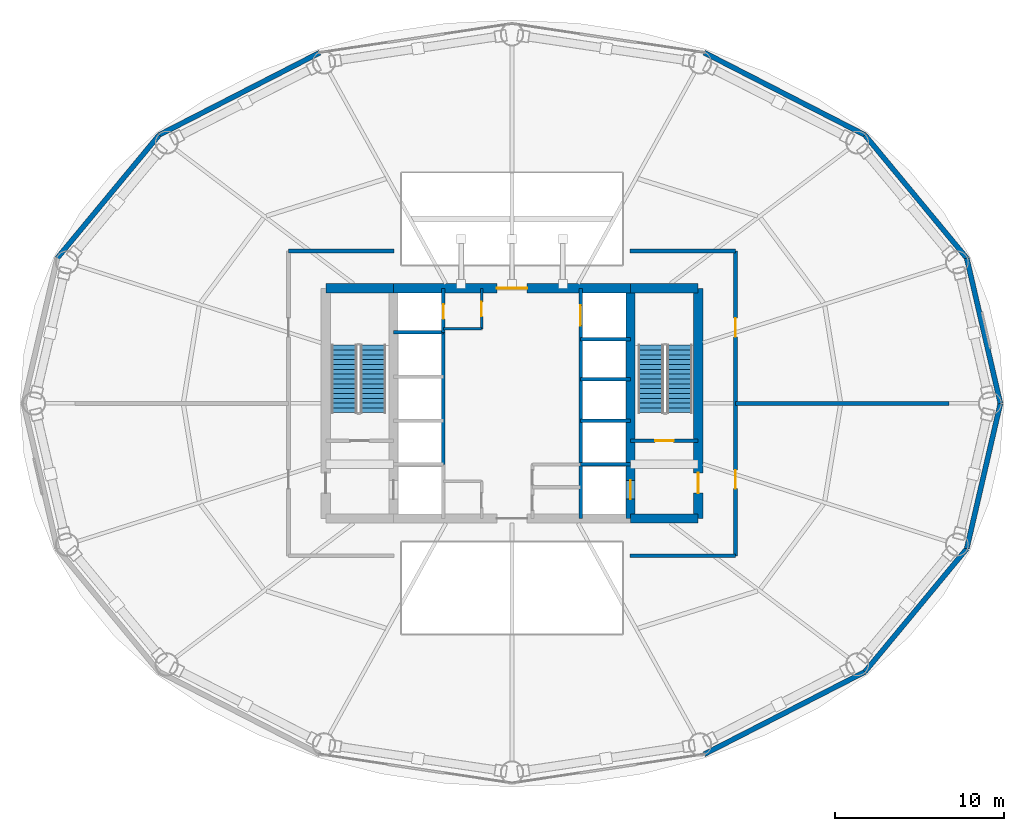
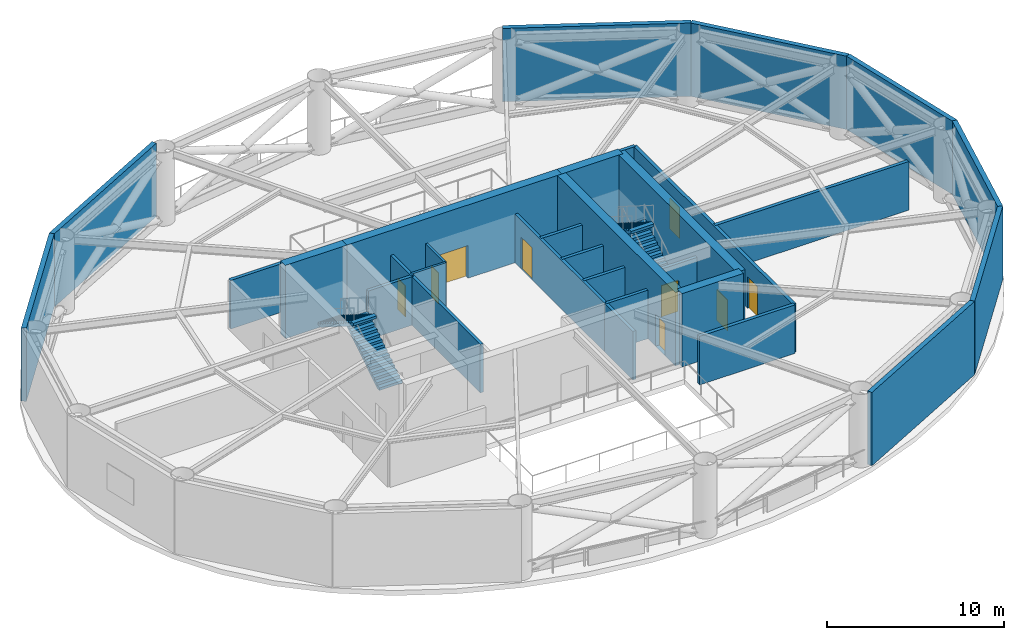
# One storey, part 5 of 7: 31 walls, 9 doors, 4 stair flights, 9 openings, 2 elements without a shape of their own.
"""IFC4 building model written with IfcOpenShell, lengths in metres."""

from ifc_helpers import new_model, si_unit, direction, frame, frame_2d, origin, place, context, subcontext, project, spatial, polyline, rectangle, outline, extrude, material, layer, layer_set, type_object, element, fill, aggregate, save


model = new_model("IFC4")

# Units and contexts
model_context = context("Model", 3, precision=1e-05, world=origin(), true_north=direction((0.0, 1.0)))
body_context = subcontext(model_context, "Body", "Model", "MODEL_VIEW")
ifc_project = project(units=[si_unit("LENGTHUNIT", "METRE"), si_unit("AREAUNIT", "SQUARE_METRE"), si_unit("VOLUMEUNIT", "CUBIC_METRE"), si_unit("PLANEANGLEUNIT", "RADIAN"), si_unit("MASSUNIT", "GRAM", prefix="KILO")], contexts=[model_context])

# Site, building, storey
site_placement = place(None, origin())
site = spatial("IfcSite", under=ifc_project, at=site_placement, CompositionType="ELEMENT")
building_placement = place(site_placement, origin())
building = spatial("IfcBuilding", under=site, at=building_placement, Name="Sarneth Arch Tower", CompositionType="ELEMENT")
storey_placement = place(building_placement, frame((0.0, 0.0, 139.800048828125)))
storey = spatial("IfcBuildingStorey", under=building, at=storey_placement, Name="L35", CompositionType="ELEMENT", Elevation=139.800048828125)

# Walls
ifc_material_1 = material(Name="Concrete C60/75", Category="concrete")
ifc_layer_1 = layer(ifc_material_1, 0.550048828125)
ifc_layer_set_1 = layer_set([ifc_layer_1], Name="Concrete C60/75")
wall_type_1 = type_object("IfcWallType", Name="WALL-CORE-550", PredefinedType="SHEAR", material=ifc_layer_set_1)
for number, where, z_axis, x_axis, name in (
    (1, (55.0, 35.199951171875, 0.0), (0.0, 0.0, 1.0), (1.0, 0.0, 0.0), "L35 Core shear wall S-E"),
    (2, (37.0, 48.800048828125, 0.0), (0.0, 0.0, 1.0), (1.0, 0.0, 0.0), "L35 Core shear wall N-W"),
):
    element("IfcWall", number, at=place(storey_placement, frame(where, z_axis=z_axis, x_axis=x_axis)), inside=storey, type_object=wall_type_1, Name=name, PredefinedType="SHEAR", context=body_context, shape_type="SweptSolid", body=[
        extrude(rectangle(XDim=4.0, YDim=0.550048828125, at=frame_2d((2.0, 0.0))), origin(), (0.0, 0.0, 1.0), 5.050048828125),
    ])

# Wall, opening, door
wall_1_placement = place(storey_placement, frame((41.0, 48.800048828125, 0.0), z_axis=(0.0, 0.0, 1.0), x_axis=(1.0, 0.0, 0.0)))
wall_1 = element("IfcWall", 3, at=wall_1_placement, inside=storey, type_object=wall_type_1, Name="L35 Core shear wall N-M", PredefinedType="SHEAR", context=body_context, shape_type="SweptSolid", body=[
    extrude(rectangle(XDim=14.0, YDim=0.550048828125, at=frame_2d((7.0, 0.0))), origin(), (0.0, 0.0, 1.0), 5.050048828125),
])
opening_1_placement = place(wall_1_placement, frame((6.10009765625, 0.0, 0.0)))
opening_1 = element("IfcOpeningElement", 4, at=opening_1_placement, cuts=wall_1, Name="Opening FD-01", PredefinedType="OPENING", context=body_context, shape_type="SweptSolid", body=[
    extrude(rectangle(XDim=1.800048828125, YDim=2.25, at=frame_2d((0.89990234375, 1.125))), frame((0.0, 0.284912109375, 0.0), z_axis=(0.0, -1.0, 0.0), x_axis=(1.0, 0.0, 0.0)), (0.0, 0.0, 1.0), 0.570068359375),
])
ifc_material_2 = material(Name="Galvanised Steel S275 fire door set", Category="steel")
door_type_1 = type_object("IfcDoorType", Name="DR-FD90-1800", OperationType="DOUBLE_DOOR_SINGLE_SWING", PredefinedType="DOOR", material=ifc_material_2)
door_1_placement = place(opening_1_placement, origin())
door_1 = element("IfcDoor", 5, at=door_1_placement, inside=storey, type_object=door_type_1, Name="L35 Central lift lobby north door", OperationType="DOUBLE_DOOR_SINGLE_SWING", OverallHeight=2.25, OverallWidth=1.800048828125, PredefinedType="DOOR", context=body_context, shape_type="SweptSolid", body=[
    extrude(rectangle(XDim=1.800048828125, YDim=2.25, at=frame_2d((0.89990234375, 1.125))), frame((0.0, 0.02490234375, 0.0), z_axis=(0.0, -1.0, 0.0), x_axis=(1.0, 0.0, 0.0)), (0.0, 0.0, 1.0), 0.050048828125),
])
fill(opening_1, door_1)

# Wall
wall_2_placement = place(storey_placement, frame((55.0, 48.800048828125, 0.0), z_axis=(0.0, 0.0, 1.0), x_axis=(1.0, 0.0, 0.0)))
element("IfcWall", 6, at=wall_2_placement, inside=storey, type_object=wall_type_1, Name="L35 Core shear wall N-E", PredefinedType="SHEAR", context=body_context, shape_type="SweptSolid", body=[
    extrude(rectangle(XDim=4.0, YDim=0.550048828125, at=frame_2d((2.0, 0.0))), origin(), (0.0, 0.0, 1.0), 5.050048828125),
])

# Wall, opening, door
wall_3_placement = place(storey_placement, frame((59.0, 35.199951171875, 0.0), z_axis=(0.0, 0.0, 1.0), x_axis=(0.0, 1.0, 0.0)))
wall_3 = element("IfcWall", 7, at=wall_3_placement, inside=storey, type_object=wall_type_1, Name="L35 Core shear wall E", PredefinedType="SHEAR", context=body_context, shape_type="SweptSolid", body=[
    extrude(rectangle(XDim=13.60009765625, YDim=0.550048828125, at=frame_2d((6.800048828125, 0.0))), origin(), (0.0, 0.0, 1.0), 5.050048828125),
])
opening_2_placement = place(wall_3_placement, frame((1.5, 0.0, 0.0)))
opening_2 = element("IfcOpeningElement", 8, at=opening_2_placement, cuts=wall_3, Name="Opening FD-02", PredefinedType="OPENING", context=body_context, shape_type="SweptSolid", body=[
    extrude(rectangle(XDim=1.199951171875, YDim=2.14990234375, at=frame_2d((0.60009765625, 1.074951171875))), frame((0.0, 0.284912109375, 0.0), z_axis=(0.0, -1.0, 0.0), x_axis=(1.0, 0.0, 0.0)), (0.0, 0.0, 1.0), 0.570068359375),
])
ifc_material_3 = material(Name="Galvanised Steel S275 fire door set", Category="steel")
door_type_2 = type_object("IfcDoorType", Name="DR-FD90-1200", OperationType="SINGLE_SWING_LEFT", PredefinedType="DOOR", material=ifc_material_3)
door_2_placement = place(opening_2_placement, origin())
door_2 = element("IfcDoor", 9, at=door_2_placement, inside=storey, type_object=door_type_2, Name="L35 Firefighting lobby 2 exit door", OperationType="SINGLE_SWING_RIGHT", OverallHeight=2.14990234375, OverallWidth=1.199951171875, PredefinedType="DOOR", context=body_context, shape_type="SweptSolid", body=[
    extrude(rectangle(XDim=1.199951171875, YDim=2.14990234375, at=frame_2d((0.60009765625, 1.074951171875))), frame((0.0, 0.02490234375, 0.0), z_axis=(0.0, -1.0, 0.0), x_axis=(1.0, 0.0, 0.0)), (0.0, 0.0, 1.0), 0.050048828125),
])
fill(opening_2, door_2)

wall_4_placement = place(storey_placement, frame((55.0, 35.199951171875, 0.0), z_axis=(0.0, 0.0, 1.0), x_axis=(0.0, 1.0, 0.0)))
wall_4 = element("IfcWall", 10, at=wall_4_placement, inside=storey, type_object=wall_type_1, Name="L35 Core shear wall WEB-E", PredefinedType="SHEAR", context=body_context, shape_type="SweptSolid", body=[
    extrude(rectangle(XDim=13.60009765625, YDim=0.550048828125, at=frame_2d((6.800048828125, 0.0))), origin(), (0.0, 0.0, 1.0), 5.050048828125),
])
opening_3_placement = place(wall_4_placement, frame((1.14990234375, 0.0, 0.0)))
opening_3 = element("IfcOpeningElement", 11, at=opening_3_placement, cuts=wall_4, Name="Opening LD-1", PredefinedType="OPENING", context=body_context, shape_type="SweptSolid", body=[
    extrude(rectangle(XDim=1.10009765625, YDim=2.199951171875, at=frame_2d((0.550048828125, 1.10009765625))), frame((0.0, 0.284912109375, 0.0), z_axis=(0.0, -1.0, 0.0), x_axis=(1.0, 0.0, 0.0)), (0.0, 0.0, 1.0), 0.570068359375),
])
ifc_material_4 = material(Name="Brushed Stainless Steel 304 lift landing door", Category="steel")
door_type_3 = type_object("IfcDoorType", Name="DR-LIFT-SLIDE-1100", OperationType="SLIDING_TO_LEFT", PredefinedType="DOOR", material=ifc_material_4)
door_3_placement = place(opening_3_placement, origin())
door_3 = element("IfcDoor", 12, at=door_3_placement, inside=storey, type_object=door_type_3, Name="L35 Firefighting lift landing door FL-2", OperationType="SLIDING_TO_RIGHT", OverallHeight=2.199951171875, OverallWidth=1.10009765625, PredefinedType="DOOR", context=body_context, shape_type="SweptSolid", body=[
    extrude(rectangle(XDim=1.10009765625, YDim=2.199951171875, at=frame_2d((0.550048828125, 1.10009765625))), frame((0.0, 0.02490234375, 0.0), z_axis=(0.0, -1.0, 0.0), x_axis=(1.0, 0.0, 0.0)), (0.0, 0.0, 1.0), 0.050048828125),
])
fill(opening_3, door_3)

# Walls
ifc_material_5 = material(Name="Extruded terracotta rainscreen on Concrete C40/50 backing", Category="masonry")
ifc_layer_2 = layer(ifc_material_5, 0.300048828125)
ifc_layer_set_2 = layer_set([ifc_layer_2], Name="Extruded terracotta rainscreen on Concrete C40/50 backing")
wall_type_2 = type_object("IfcWallType", Name="WALL-EXT-ACOUST-300", PredefinedType="SOLIDWALL", material=ifc_layer_set_2)
wall_5_placement = place(storey_placement, frame((76.848876953125, 42.0, 0.0), z_axis=(0.0, 0.0, 1.0), x_axis=(-0.22558597182, 0.974223264616, 0.0)))
element("IfcWall", 13, at=wall_5_placement, inside=storey, type_object=wall_type_2, Name="L35 Terracotta perimeter wall 01", PredefinedType="SOLIDWALL", context=body_context, shape_type="SweptSolid", body=[
    extrude(rectangle(XDim=8.810546875, YDim=0.300048828125, at=frame_2d((4.4052734375, 0.0))), origin(), (0.0, 0.0, 1.0), 5.050048828125),
])
wall_6_placement = place(storey_placement, frame((74.861328125, 50.58349609375, 0.0), z_axis=(0.0, 0.0, 1.0), x_axis=(-0.637505817448, 0.770445541696, 0.0)))
element("IfcWall", 14, at=wall_6_placement, inside=storey, type_object=wall_type_2, Name="L35 Terracotta perimeter wall 02", PredefinedType="SOLIDWALL", context=body_context, shape_type="SweptSolid", body=[
    extrude(rectangle(XDim=9.445068359375, YDim=0.300048828125, at=frame_2d((4.72265625, 0.0))), origin(), (0.0, 0.0, 1.0), 5.050048828125),
])
for number, where, z_axis, x_axis, name in (
    (15, (68.840087890625, 57.8603515625, 0.0), (0.0, 0.0, 1.0), (-0.889959505023, 0.45603955905, 0.0), "L35 Terracotta perimeter wall 03"),
    (16, (36.648681640625, 62.72265625, 0.0), (0.0, 0.0, 1.0), (-0.889959505023, -0.45603955905, 0.0), "L35 Terracotta perimeter wall 06"),
):
    element("IfcWall", number, at=place(storey_placement, frame(where, z_axis=z_axis, x_axis=x_axis)), inside=storey, type_object=wall_type_2, Name=name, PredefinedType="SOLIDWALL", context=body_context, shape_type="SweptSolid", body=[
        extrude(rectangle(XDim=10.662109375, YDim=0.300048828125, at=frame_2d((5.3310546875, 0.0))), origin(), (0.0, 0.0, 1.0), 5.050048828125),
    ])
wall_7_placement = place(storey_placement, frame((27.159912109375, 57.8603515625, 0.0), z_axis=(0.0, 0.0, 1.0), x_axis=(-0.637505817448, -0.770445541696, 0.0)))
element("IfcWall", 17, at=wall_7_placement, inside=storey, type_object=wall_type_2, Name="L35 Terracotta perimeter wall 07", PredefinedType="SOLIDWALL", context=body_context, shape_type="SweptSolid", body=[
    extrude(rectangle(XDim=9.445068359375, YDim=0.300048828125, at=frame_2d((4.72265625, 0.0))), origin(), (0.0, 0.0, 1.0), 5.050048828125),
])
wall_8_placement = place(storey_placement, frame((59.351318359375, 21.27734375, 0.0), z_axis=(0.0, 0.0, 1.0), x_axis=(0.889959505023, 0.45603955905, 0.0)))
element("IfcWall", 18, at=wall_8_placement, inside=storey, type_object=wall_type_2, Name="L35 Terracotta perimeter wall 14", PredefinedType="SOLIDWALL", context=body_context, shape_type="SweptSolid", body=[
    extrude(rectangle(XDim=10.662109375, YDim=0.300048828125, at=frame_2d((5.3310546875, 0.0))), origin(), (0.0, 0.0, 1.0), 5.050048828125),
])
wall_9_placement = place(storey_placement, frame((68.840087890625, 26.1396484375, 0.0), z_axis=(0.0, 0.0, 1.0), x_axis=(0.637505817448, 0.770445541696, 0.0)))
element("IfcWall", 19, at=wall_9_placement, inside=storey, type_object=wall_type_2, Name="L35 Terracotta perimeter wall 15", PredefinedType="SOLIDWALL", context=body_context, shape_type="SweptSolid", body=[
    extrude(rectangle(XDim=9.445068359375, YDim=0.300048828125, at=frame_2d((4.72265625, 0.0))), origin(), (0.0, 0.0, 1.0), 5.050048828125),
])
wall_10_placement = place(storey_placement, frame((74.861328125, 33.41650390625, 0.0), z_axis=(0.0, 0.0, 1.0), x_axis=(0.22558597182, 0.974223264616, 0.0)))
element("IfcWall", 20, at=wall_10_placement, inside=storey, type_object=wall_type_2, Name="L35 Terracotta perimeter wall 16", PredefinedType="SOLIDWALL", context=body_context, shape_type="SweptSolid", body=[
    extrude(rectangle(XDim=8.810546875, YDim=0.300048828125, at=frame_2d((4.4052734375, 0.0))), origin(), (0.0, 0.0, 1.0), 5.050048828125),
])
ifc_material_6 = material(Name="Aerated concrete blockwork C25/30", Category="masonry")
ifc_layer_3 = layer(ifc_material_6, 0.219970703125)
ifc_layer_set_3 = layer_set([ifc_layer_3], Name="Aerated concrete blockwork C25/30")
wall_type_3 = type_object("IfcWallType", Name="WALL-FIRE-220", PredefinedType="SOLIDWALL", material=ifc_layer_set_3)
wall_11_placement = place(storey_placement, frame((61.199951171875, 42.0, 0.0), z_axis=(0.0, 0.0, 1.0), x_axis=(1.0, 0.0, 0.0)))
element("IfcWall", 21, at=wall_11_placement, inside=storey, type_object=wall_type_3, Name="L35 Interior partition W-L35-TP-010", PredefinedType="SOLIDWALL", context=body_context, shape_type="SweptSolid", body=[
    extrude(rectangle(XDim=12.606689453125, YDim=0.219970703125, at=frame_2d((6.30322265625, 0.0))), origin(), (0.0, 0.0, 1.0), 3.349853515625),
])

# Wall, openings, doors
wall_12_placement = place(storey_placement, frame((61.199951171875, 51.0, 0.0), z_axis=(0.0, 0.0, 1.0), x_axis=(0.0, -1.0, 0.0)))
wall_12 = element("IfcWall", 22, at=wall_12_placement, inside=storey, type_object=wall_type_3, Name="L35 Interior partition W-L35-TP-005", PredefinedType="SOLIDWALL", context=body_context, shape_type="SweptSolid", body=[
    extrude(rectangle(XDim=18.0, YDim=0.219970703125, at=frame_2d((9.0, 0.0))), origin(), (0.0, 0.0, 1.0), 3.349853515625),
])
opening_4_placement = place(wall_12_placement, frame((12.93408203125, 0.0, 0.0)))
opening_4 = element("IfcOpeningElement", 23, at=opening_4_placement, cuts=wall_12, Name="Opening FD-03", PredefinedType="OPENING", context=body_context, shape_type="SweptSolid", body=[
    extrude(rectangle(XDim=1.10009765625, YDim=2.14990234375, at=frame_2d((0.550048828125, 1.074951171875))), frame((0.0, 0.119873046875, 0.0), z_axis=(0.0, -1.0, 0.0), x_axis=(1.0, 0.0, 0.0)), (0.0, 0.0, 1.0), 0.239990234375),
])
opening_5_placement = place(wall_12_placement, frame((3.966064453125, 0.0, 0.0)))
opening_5 = element("IfcOpeningElement", 24, at=opening_5_placement, cuts=wall_12, Name="Opening FD-03", PredefinedType="OPENING", context=body_context, shape_type="SweptSolid", body=[
    extrude(rectangle(XDim=1.10009765625, YDim=2.14990234375, at=frame_2d((0.550048828125, 1.074951171875))), frame((0.0, 0.119873046875, 0.0), z_axis=(0.0, -1.0, 0.0), x_axis=(1.0, 0.0, 0.0)), (0.0, 0.0, 1.0), 0.239990234375),
])
ifc_material_7 = material(Name="Galvanised Steel S275 fire door set", Category="steel")
door_type_4 = type_object("IfcDoorType", Name="DR-FD90-1100", OperationType="SINGLE_SWING_LEFT", PredefinedType="DOOR", material=ifc_material_7)
door_4_placement = place(opening_4_placement, origin())
door_4 = element("IfcDoor", 25, at=door_4_placement, inside=storey, type_object=door_type_4, Name="L35 Interior door DR-L35-PSEC-3", OperationType="SINGLE_SWING_LEFT", OverallHeight=2.14990234375, OverallWidth=1.10009765625, PredefinedType="DOOR", context=body_context, shape_type="SweptSolid", body=[
    extrude(rectangle(XDim=1.10009765625, YDim=2.14990234375, at=frame_2d((0.550048828125, 1.074951171875))), frame((0.0, 0.02490234375, 0.0), z_axis=(0.0, -1.0, 0.0), x_axis=(1.0, 0.0, 0.0)), (0.0, 0.0, 1.0), 0.050048828125),
])
fill(opening_4, door_4)
door_5_placement = place(opening_5_placement, origin())
door_5 = element("IfcDoor", 26, at=door_5_placement, inside=storey, type_object=door_type_4, Name="L35 Interior door DR-L35-PSEC-4", OperationType="SINGLE_SWING_LEFT", OverallHeight=2.14990234375, OverallWidth=1.10009765625, PredefinedType="DOOR", context=body_context, shape_type="SweptSolid", body=[
    extrude(rectangle(XDim=1.10009765625, YDim=2.14990234375, at=frame_2d((0.550048828125, 1.074951171875))), frame((0.0, 0.02490234375, 0.0), z_axis=(0.0, -1.0, 0.0), x_axis=(1.0, 0.0, 0.0)), (0.0, 0.0, 1.0), 0.050048828125),
])
fill(opening_5, door_5)

# Walls
for number, where, z_axis, x_axis, name in (
    (27, (34.800048828125, 51.0, 0.0), (0.0, 0.0, 1.0), (1.0, 0.0, 0.0), "L35 Interior partition W-L35-TP-004"),
    (28, (61.199951171875, 33.0, 0.0), (0.0, 0.0, 1.0), (-1.0, 0.0, 0.0), "L35 Interior partition W-L35-TP-006"),
    (29, (54.968017578125, 51.0, 0.0), (0.0, 0.0, 1.0), (1.0, 0.0, 0.0), "L35 Interior partition W-L35-TP-007"),
):
    element("IfcWall", number, at=place(storey_placement, frame(where, z_axis=z_axis, x_axis=x_axis)), inside=storey, type_object=wall_type_3, Name=name, PredefinedType="SOLIDWALL", context=body_context, shape_type="SweptSolid", body=[
        extrude(rectangle(XDim=6.23193359375, YDim=0.219970703125, at=frame_2d((3.115966796875, 0.0))), origin(), (0.0, 0.0, 1.0), 3.349853515625),
    ])
ifc_material_8 = material(Name="Acoustic gypsum stud partition", Category="gypsum")
ifc_layer_4 = layer(ifc_material_8, 0.14990234375)
ifc_layer_set_4 = layer_set([ifc_layer_4], Name="Acoustic gypsum stud partition")
wall_type_4 = type_object("IfcWallType", Name="WALL-PART-150", PredefinedType="PARTITIONING", material=ifc_layer_set_4)
wall_13_placement = place(storey_placement, frame((43.949951171875, 46.39990234375, 0.0), z_axis=(0.0, 0.0, 1.0), x_axis=(1.0, 0.0, 0.0)))
element("IfcWall", 30, at=wall_13_placement, inside=storey, type_object=wall_type_4, Name="L35 Interior partition W-L35-CSUP2-S", PredefinedType="PARTITIONING", context=body_context, shape_type="SweptSolid", body=[
    extrude(rectangle(XDim=2.25, YDim=0.14990234375, at=frame_2d((1.125, 0.0))), origin(), (0.0, 0.0, 1.0), 3.349853515625),
])

# Wall, opening, door
wall_14_placement = place(storey_placement, frame((46.199951171875, 46.39990234375, 0.0), z_axis=(0.0, 0.0, 1.0), x_axis=(0.0, 1.0, 0.0)))
wall_14 = element("IfcWall", 31, at=wall_14_placement, inside=storey, type_object=wall_type_4, Name="L35 Interior partition W-L35-CSUP2-E", PredefinedType="PARTITIONING", context=body_context, shape_type="SweptSolid", body=[
    extrude(rectangle(XDim=2.400146484375, YDim=0.14990234375, at=frame_2d((1.2001953125, 0.0))), origin(), (0.0, 0.0, 1.0), 3.349853515625),
])
opening_6_placement = place(wall_14_placement, frame((0.75, 0.0, 0.0)))
opening_6 = element("IfcOpeningElement", 32, at=opening_6_placement, cuts=wall_14, Name="Opening FD-11", PredefinedType="OPENING", context=body_context, shape_type="SweptSolid", body=[
    extrude(rectangle(XDim=0.85009765625, YDim=2.14990234375, at=frame_2d((0.425048828125, 1.074951171875))), frame((0.0, 0.0849609375, 0.0), z_axis=(0.0, -1.0, 0.0), x_axis=(1.0, 0.0, 0.0)), (0.0, 0.0, 1.0), 0.169921875),
])
ifc_material_9 = material(Name="Galvanised Steel S275 closet fire door", Category="steel")
door_type_5 = type_object("IfcDoorType", Name="DR-FD60-850", OperationType="SINGLE_SWING_LEFT", PredefinedType="DOOR", material=ifc_material_9)
door_6_placement = place(opening_6_placement, origin())
door_6 = element("IfcDoor", 33, at=door_6_placement, inside=storey, type_object=door_type_5, Name="L35 Interior door DR-L35-CSUP2", OperationType="SINGLE_SWING_RIGHT", OverallHeight=2.14990234375, OverallWidth=0.85009765625, PredefinedType="DOOR", context=body_context, shape_type="SweptSolid", body=[
    extrude(rectangle(XDim=0.85009765625, YDim=2.14990234375, at=frame_2d((0.425048828125, 1.074951171875))), frame((0.0, 0.02490234375, 0.0), z_axis=(0.0, -1.0, 0.0), x_axis=(1.0, 0.0, 0.0)), (0.0, 0.0, 1.0), 0.050048828125),
])
fill(opening_6, door_6)

ifc_material_10 = material(Name="Aerated concrete blockwork C25/30", Category="masonry")
ifc_layer_5 = layer(ifc_material_10, 0.199951171875)
ifc_layer_set_5 = layer_set([ifc_layer_5], Name="Aerated concrete blockwork C25/30")
wall_type_5 = type_object("IfcWallType", Name="WALL-SHAFT-200", PredefinedType="SOLIDWALL", material=ifc_layer_set_5)
wall_15_placement = place(storey_placement, frame((55.0, 39.800048828125, 0.0), z_axis=(0.0, 0.0, 1.0), x_axis=(1.0, 0.0, 0.0)))
wall_15 = element("IfcWall", 34, at=wall_15_placement, inside=storey, type_object=wall_type_5, Name="L35 Interior partition W-L35-ST2-S", PredefinedType="SOLIDWALL", context=body_context, shape_type="SweptSolid", body=[
    extrude(rectangle(XDim=4.0, YDim=0.199951171875, at=frame_2d((2.0, 0.0))), origin(), (0.0, 0.0, 1.0), 3.349853515625),
])
opening_7_placement = place(wall_15_placement, frame((1.449951171875, 0.0, 0.0)))
opening_7 = element("IfcOpeningElement", 35, at=opening_7_placement, cuts=wall_15, Name="Opening FD-03", PredefinedType="OPENING", context=body_context, shape_type="SweptSolid", body=[
    extrude(rectangle(XDim=1.10009765625, YDim=2.14990234375, at=frame_2d((0.550048828125, 1.074951171875))), frame((0.0, 0.10986328125, 0.0), z_axis=(0.0, -1.0, 0.0), x_axis=(1.0, 0.0, 0.0)), (0.0, 0.0, 1.0), 0.219970703125),
])
door_7_placement = place(opening_7_placement, origin())
door_7 = element("IfcDoor", 36, at=door_7_placement, inside=storey, type_object=door_type_4, Name="L35 Interior door DR-L35-ST2", OperationType="SINGLE_SWING_RIGHT", OverallHeight=2.14990234375, OverallWidth=1.10009765625, PredefinedType="DOOR", context=body_context, shape_type="SweptSolid", body=[
    extrude(rectangle(XDim=1.10009765625, YDim=2.14990234375, at=frame_2d((0.550048828125, 1.074951171875))), frame((0.0, 0.02490234375, 0.0), z_axis=(0.0, -1.0, 0.0), x_axis=(1.0, 0.0, 0.0)), (0.0, 0.0, 1.0), 0.050048828125),
])
fill(opening_7, door_7)

# Walls
wall_16_placement = place(storey_placement, frame((52.050048828125, 35.199951171875, 0.0), z_axis=(0.0, 0.0, 1.0), x_axis=(0.0, 1.0, 0.0)))
element("IfcWall", 37, at=wall_16_placement, inside=storey, type_object=wall_type_5, Name="L35 Interior partition W-L35-FL2-W", PredefinedType="SOLIDWALL", context=body_context, shape_type="SweptSolid", body=[
    extrude(rectangle(XDim=3.199951171875, YDim=0.199951171875, at=frame_2d((1.60009765625, 0.0))), origin(), (0.0, 0.0, 1.0), 3.349853515625),
])
for number, where, z_axis, x_axis, name in (
    (38, (52.050048828125, 38.39990234375, 0.0), (0.0, 0.0, 1.0), (1.0, 0.0, 0.0), "L35 Interior partition W-L35-FL2-N"),
    (39, (41.0, 46.199951171875, 0.0), (0.0, 0.0, 1.0), (1.0, 0.0, 0.0), "L35 Interior partition W-L35-RISER-S"),
):
    element("IfcWall", number, at=place(storey_placement, frame(where, z_axis=z_axis, x_axis=x_axis)), inside=storey, type_object=wall_type_5, Name=name, PredefinedType="SOLIDWALL", context=body_context, shape_type="SweptSolid", body=[
        extrude(rectangle(XDim=2.949951171875, YDim=0.199951171875, at=frame_2d((1.47509765625, 0.0))), origin(), (0.0, 0.0, 1.0), 3.349853515625),
    ])

# Wall, opening, door
wall_17_placement = place(storey_placement, frame((43.949951171875, 46.199951171875, 0.0), z_axis=(0.0, 0.0, 1.0), x_axis=(0.0, 1.0, 0.0)))
wall_17 = element("IfcWall", 40, at=wall_17_placement, inside=storey, type_object=wall_type_5, Name="L35 Interior partition W-L35-RISER-E", PredefinedType="SOLIDWALL", context=body_context, shape_type="SweptSolid", body=[
    extrude(rectangle(XDim=2.60009765625, YDim=0.199951171875, at=frame_2d((1.300048828125, 0.0))), origin(), (0.0, 0.0, 1.0), 3.349853515625),
])
opening_8_placement = place(wall_17_placement, frame((0.800048828125, 0.0, 0.0)))
opening_8 = element("IfcOpeningElement", 41, at=opening_8_placement, cuts=wall_17, Name="Opening FD-11", PredefinedType="OPENING", context=body_context, shape_type="SweptSolid", body=[
    extrude(rectangle(XDim=0.85009765625, YDim=2.14990234375, at=frame_2d((0.425048828125, 1.074951171875))), frame((0.0, 0.10986328125, 0.0), z_axis=(0.0, -1.0, 0.0), x_axis=(1.0, 0.0, 0.0)), (0.0, 0.0, 1.0), 0.219970703125),
])
door_8_placement = place(opening_8_placement, origin())
door_8 = element("IfcDoor", 42, at=door_8_placement, inside=storey, type_object=door_type_5, Name="L35 Lift landing door DR-L35-RISER", OperationType="SINGLE_SWING_LEFT", OverallHeight=2.14990234375, OverallWidth=0.85009765625, PredefinedType="DOOR", context=body_context, shape_type="SweptSolid", body=[
    extrude(rectangle(XDim=0.85009765625, YDim=2.14990234375, at=frame_2d((0.425048828125, 1.074951171875))), frame((0.0, 0.02490234375, 0.0), z_axis=(0.0, -1.0, 0.0), x_axis=(1.0, 0.0, 0.0)), (0.0, 0.0, 1.0), 0.050048828125),
])
fill(opening_8, door_8)

# Wall
wall_18_placement = place(storey_placement, frame((43.949951171875, 38.39990234375, 0.0), z_axis=(0.0, 0.0, 1.0), x_axis=(0.0, 1.0, 0.0)))
element("IfcWall", 43, at=wall_18_placement, inside=storey, type_object=wall_type_5, Name="L35 Interior partition W-L35-WESTBANK-FRONT", PredefinedType="SOLIDWALL", context=body_context, shape_type="SweptSolid", body=[
    extrude(rectangle(XDim=7.800048828125, YDim=0.199951171875, at=frame_2d((3.89990234375, 0.0))), origin(), (0.0, 0.0, 1.0), 3.349853515625),
])

# Wall, opening, door
wall_19_placement = place(storey_placement, frame((52.050048828125, 38.39990234375, 0.0), z_axis=(0.0, 0.0, 1.0), x_axis=(0.0, 1.0, 0.0)))
wall_19 = element("IfcWall", 44, at=wall_19_placement, inside=storey, type_object=wall_type_5, Name="L35 Interior partition W-L35-EASTBANK-FRONT", PredefinedType="SOLIDWALL", context=body_context, shape_type="SweptSolid", body=[
    extrude(rectangle(XDim=10.400146484375, YDim=0.199951171875, at=frame_2d((5.2001953125, 0.0))), origin(), (0.0, 0.0, 1.0), 3.349853515625),
])
opening_9_placement = place(wall_19_placement, frame((8.199951171875, 0.0, 0.0)))
opening_9 = element("IfcOpeningElement", 45, at=opening_9_placement, cuts=wall_19, Name="Opening LD-2", PredefinedType="OPENING", context=body_context, shape_type="SweptSolid", body=[
    extrude(rectangle(XDim=1.199951171875, YDim=2.199951171875, at=frame_2d((0.60009765625, 1.10009765625))), frame((0.0, 0.10986328125, 0.0), z_axis=(0.0, -1.0, 0.0), x_axis=(1.0, 0.0, 0.0)), (0.0, 0.0, 1.0), 0.219970703125),
])
ifc_material_11 = material(Name="Brushed Stainless Steel 304 service lift door", Category="steel")
door_type_6 = type_object("IfcDoorType", Name="DR-LIFT-SLIDE-1200", OperationType="SLIDING_TO_RIGHT", PredefinedType="DOOR", material=ifc_material_11)
door_9_placement = place(opening_9_placement, origin())
door_9 = element("IfcDoor", 46, at=door_9_placement, inside=storey, type_object=door_type_6, Name="L35 Lift landing door DR-L35-LD-SL1", OperationType="SLIDING_TO_RIGHT", OverallHeight=2.199951171875, OverallWidth=1.199951171875, PredefinedType="DOOR", context=body_context, shape_type="SweptSolid", body=[
    extrude(rectangle(XDim=1.199951171875, YDim=2.199951171875, at=frame_2d((0.60009765625, 1.10009765625))), frame((0.0, 0.02490234375, 0.0), z_axis=(0.0, -1.0, 0.0), x_axis=(1.0, 0.0, 0.0)), (0.0, 0.0, 1.0), 0.050048828125),
])
fill(opening_9, door_9)

# Walls
for number, where, z_axis, x_axis, name in (
    (47, (52.050048828125, 40.97998046875, 0.0), (0.0, 0.0, 1.0), (1.0, 0.0, 0.0), "L35 Interior partition W-L35-EB-DIV-4098"),
    (48, (52.050048828125, 43.419921875, 0.0), (0.0, 0.0, 1.0), (1.0, 0.0, 0.0), "L35 Interior partition W-L35-EB-DIV-4342"),
    (49, (52.050048828125, 45.800048828125, 0.0), (0.0, 0.0, 1.0), (1.0, 0.0, 0.0), "L35 Interior partition W-L35-EB-DIV-4580"),
):
    element("IfcWall", number, at=place(storey_placement, frame(where, z_axis=z_axis, x_axis=x_axis)), inside=storey, type_object=wall_type_5, Name=name, PredefinedType="SOLIDWALL", context=body_context, shape_type="SweptSolid", body=[
        extrude(rectangle(XDim=2.949951171875, YDim=0.199951171875, at=frame_2d((1.47509765625, 0.0))), origin(), (0.0, 0.0, 1.0), 3.349853515625),
    ])

# Stair, stair flights
ifc_material_12 = material(Name="Concrete C50/60", Category="concrete")
stair_type = type_object("IfcStairType", Name="STAIR-CORE-RC", PredefinedType="HALF_TURN_STAIR", material=ifc_material_12)
stair_1_placement = place(storey_placement, origin())
stair_1 = element("IfcStair", 50, at=stair_1_placement, inside=storey, type_object=stair_type, Name="L35 Core Exit Stair 1", PredefinedType="HALF_TURN_STAIR")
ifc_material_13 = material(Name="Concrete C50/60", Category="concrete")
stair_flight_type = type_object("IfcStairFlightType", Name="FLIGHT-RC-1500", PredefinedType="STRAIGHT", material=ifc_material_13)
stair_flight_1_placement = place(storey_placement, frame((39.800048828125, 41.449951171875, 0.0), z_axis=(0.0, 0.0, 1.0), x_axis=(0.0, 1.0, 0.0)))
stair_flight_1 = element("IfcStairFlight", 51, at=stair_flight_1_placement, type_object=stair_flight_type, Name="ST-1 flight 1", NumberOfRisers=15, NumberOfTreads=14, PredefinedType="STRAIGHT", RiserHeight=0.18, TreadLength=0.285, context=body_context, shape_type="SweptSolid", body=[
    extrude(outline(polyline([(0.0, 0.0), (0.0, 0.179931640625), (0.284912109375, 0.179931640625), (0.284912109375, 0.360107421875), (0.570068359375, 0.360107421875), (0.570068359375, 0.5400390625), (0.85498046875, 0.5400390625), (0.85498046875, 0.719970703125), (1.139892578125, 0.719970703125), (1.139892578125, 0.89990234375), (1.425048828125, 0.89990234375), (1.425048828125, 1.080078125), (1.7099609375, 1.080078125), (1.7099609375, 1.260009765625), (1.9951171875, 1.260009765625), (1.9951171875, 1.43994140625), (2.280029296875, 1.43994140625), (2.280029296875, 1.6201171875), (2.56494140625, 1.6201171875), (2.56494140625, 1.800048828125), (2.85009765625, 1.800048828125), (2.85009765625, 1.97998046875), (3.135009765625, 1.97998046875), (3.135009765625, 2.159912109375), (3.419921875, 2.159912109375), (3.419921875, 2.340087890625), (3.705078125, 2.340087890625), (3.705078125, 2.52001953125), (3.989990234375, 2.52001953125), (3.989990234375, 2.699951171875), (3.989990234375, 2.3427734375), (0.28076171875, 0.0), (0.0, 0.0)])), frame((0.0, 0.75, 0.0), z_axis=(0.0, -1.0, 0.0), x_axis=(1.0, 0.0, 0.0)), (0.0, 0.0, 1.0), 1.5),
])
stair_flight_2_placement = place(storey_placement, frame((38.10009765625, 45.43994140625, 2.699951171875), z_axis=(0.0, 0.0, 1.0), x_axis=(0.0, -1.0, 0.0)))
stair_flight_2 = element("IfcStairFlight", 52, at=stair_flight_2_placement, type_object=stair_flight_type, Name="ST-1 flight 2", NumberOfRisers=15, NumberOfTreads=14, PredefinedType="STRAIGHT", RiserHeight=0.18, TreadLength=0.285, context=body_context, shape_type="SweptSolid", body=[
    extrude(outline(polyline([(0.0, 0.0), (0.0, 0.179931640625), (0.284912109375, 0.179931640625), (0.284912109375, 0.360107421875), (0.570068359375, 0.360107421875), (0.570068359375, 0.5400390625), (0.85498046875, 0.5400390625), (0.85498046875, 0.719970703125), (1.139892578125, 0.719970703125), (1.139892578125, 0.89990234375), (1.425048828125, 0.89990234375), (1.425048828125, 1.080078125), (1.7099609375, 1.080078125), (1.7099609375, 1.260009765625), (1.9951171875, 1.260009765625), (1.9951171875, 1.43994140625), (2.280029296875, 1.43994140625), (2.280029296875, 1.6201171875), (2.56494140625, 1.6201171875), (2.56494140625, 1.800048828125), (2.85009765625, 1.800048828125), (2.85009765625, 1.97998046875), (3.135009765625, 1.97998046875), (3.135009765625, 2.159912109375), (3.419921875, 2.159912109375), (3.419921875, 2.340087890625), (3.705078125, 2.340087890625), (3.705078125, 2.52001953125), (3.989990234375, 2.52001953125), (3.989990234375, 2.699951171875), (3.989990234375, 2.3427734375), (0.28076171875, 0.0), (0.0, 0.0)])), frame((0.0, 0.75, 0.0), z_axis=(0.0, -1.0, 0.0), x_axis=(1.0, 0.0, 0.0)), (0.0, 0.0, 1.0), 1.5),
])
aggregate(stair_1, [stair_flight_1, stair_flight_2])

stair_2_placement = place(storey_placement, origin())
stair_2 = element("IfcStair", 53, at=stair_2_placement, inside=storey, type_object=stair_type, Name="L35 Core Exit Stair 2", PredefinedType="HALF_TURN_STAIR")
stair_flight_3_placement = place(storey_placement, frame((57.89990234375, 41.449951171875, 0.0), z_axis=(0.0, 0.0, 1.0), x_axis=(0.0, 1.0, 0.0)))
stair_flight_3 = element("IfcStairFlight", 54, at=stair_flight_3_placement, type_object=stair_flight_type, Name="ST-2 flight 1", NumberOfRisers=15, NumberOfTreads=14, PredefinedType="STRAIGHT", RiserHeight=0.18, TreadLength=0.285, context=body_context, shape_type="SweptSolid", body=[
    extrude(outline(polyline([(0.0, 0.0), (0.0, 0.179931640625), (0.284912109375, 0.179931640625), (0.284912109375, 0.360107421875), (0.570068359375, 0.360107421875), (0.570068359375, 0.5400390625), (0.85498046875, 0.5400390625), (0.85498046875, 0.719970703125), (1.139892578125, 0.719970703125), (1.139892578125, 0.89990234375), (1.425048828125, 0.89990234375), (1.425048828125, 1.080078125), (1.7099609375, 1.080078125), (1.7099609375, 1.260009765625), (1.9951171875, 1.260009765625), (1.9951171875, 1.43994140625), (2.280029296875, 1.43994140625), (2.280029296875, 1.6201171875), (2.56494140625, 1.6201171875), (2.56494140625, 1.800048828125), (2.85009765625, 1.800048828125), (2.85009765625, 1.97998046875), (3.135009765625, 1.97998046875), (3.135009765625, 2.159912109375), (3.419921875, 2.159912109375), (3.419921875, 2.340087890625), (3.705078125, 2.340087890625), (3.705078125, 2.52001953125), (3.989990234375, 2.52001953125), (3.989990234375, 2.699951171875), (3.989990234375, 2.3427734375), (0.28076171875, 0.0), (0.0, 0.0)])), frame((0.0, 0.75, 0.0), z_axis=(0.0, -1.0, 0.0), x_axis=(1.0, 0.0, 0.0)), (0.0, 0.0, 1.0), 1.5),
])
stair_flight_4_placement = place(storey_placement, frame((56.199951171875, 45.43994140625, 2.699951171875), z_axis=(0.0, 0.0, 1.0), x_axis=(0.0, -1.0, 0.0)))
stair_flight_4 = element("IfcStairFlight", 55, at=stair_flight_4_placement, type_object=stair_flight_type, Name="ST-2 flight 2", NumberOfRisers=15, NumberOfTreads=14, PredefinedType="STRAIGHT", RiserHeight=0.18, TreadLength=0.285, context=body_context, shape_type="SweptSolid", body=[
    extrude(outline(polyline([(0.0, 0.0), (0.0, 0.179931640625), (0.284912109375, 0.179931640625), (0.284912109375, 0.360107421875), (0.570068359375, 0.360107421875), (0.570068359375, 0.5400390625), (0.85498046875, 0.5400390625), (0.85498046875, 0.719970703125), (1.139892578125, 0.719970703125), (1.139892578125, 0.89990234375), (1.425048828125, 0.89990234375), (1.425048828125, 1.080078125), (1.7099609375, 1.080078125), (1.7099609375, 1.260009765625), (1.9951171875, 1.260009765625), (1.9951171875, 1.43994140625), (2.280029296875, 1.43994140625), (2.280029296875, 1.6201171875), (2.56494140625, 1.6201171875), (2.56494140625, 1.800048828125), (2.85009765625, 1.800048828125), (2.85009765625, 1.97998046875), (3.135009765625, 1.97998046875), (3.135009765625, 2.159912109375), (3.419921875, 2.159912109375), (3.419921875, 2.340087890625), (3.705078125, 2.340087890625), (3.705078125, 2.52001953125), (3.989990234375, 2.52001953125), (3.989990234375, 2.699951171875), (3.989990234375, 2.3427734375), (0.28076171875, 0.0), (0.0, 0.0)])), frame((0.0, 0.75, 0.0), z_axis=(0.0, -1.0, 0.0), x_axis=(1.0, 0.0, 0.0)), (0.0, 0.0, 1.0), 1.5),
])
aggregate(stair_2, [stair_flight_3, stair_flight_4])

save(model, "model.ifc")
